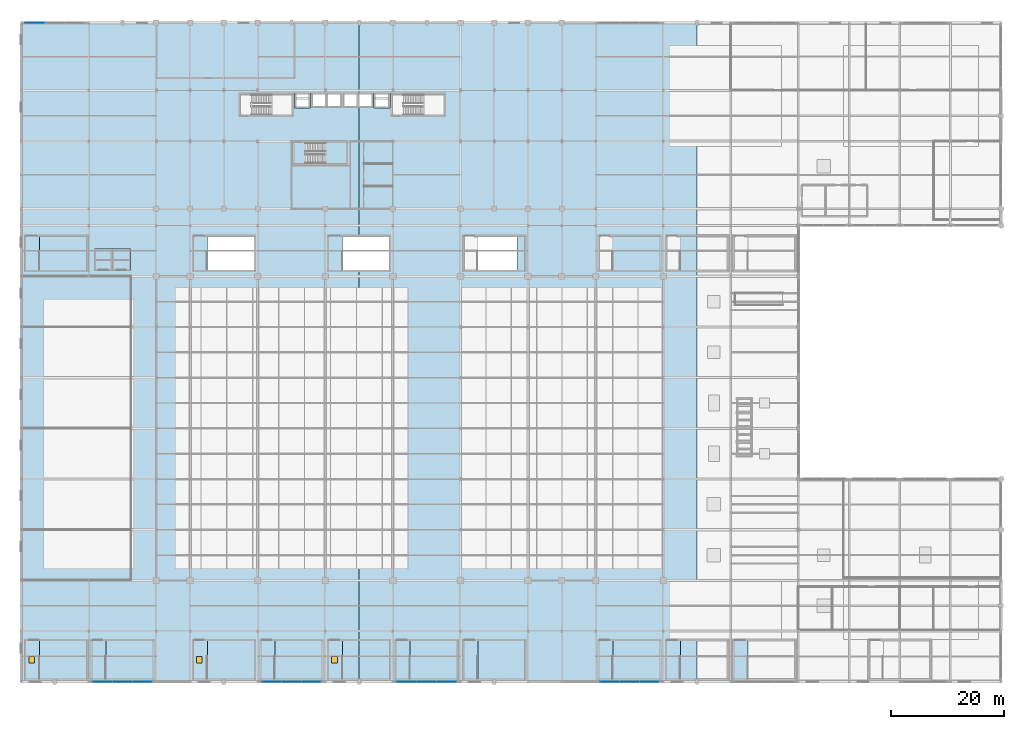
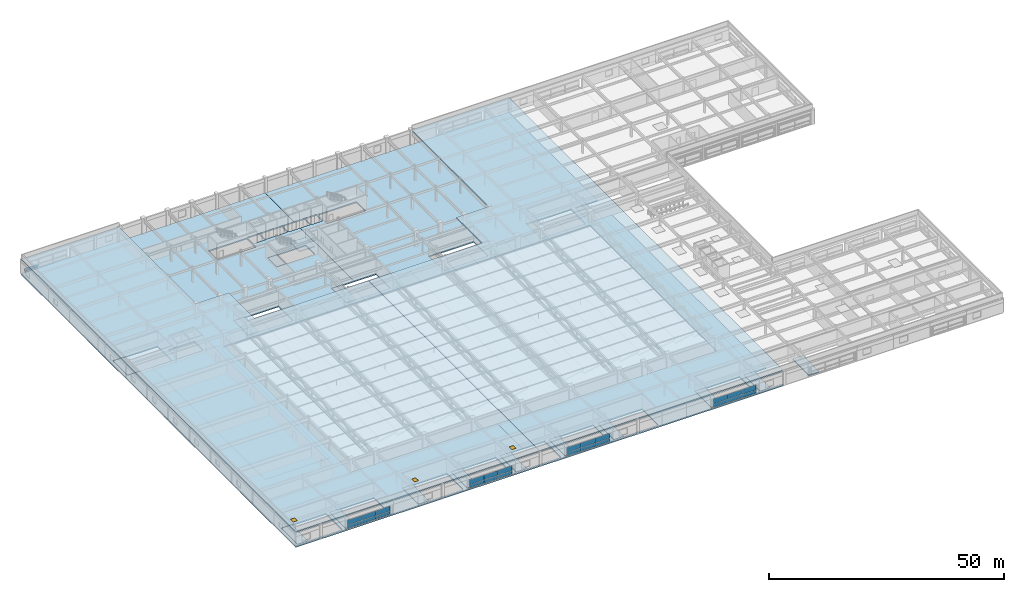
# One storey, part 85 of 108: 25 plates, 19 slabs, 3 doors, 3 openings, 6 elements without a shape of their own.
"""IFC4 building model written with IfcOpenShell, lengths in metres."""

from ifc_helpers import new_model, si_unit, direction, frame, origin, origin_2d, place, context, subcontext, project, spatial, polyline, rectangle, outline, extrude, material, layer, layer_set, type_object, element, fill, aggregate, save


model = new_model("IFC4")

# Units and contexts
model_context = context("Model", 3, precision=1e-05, world=origin(), true_north=direction((0.0, 1.0)))
body_context = subcontext(model_context, "Body", "Model", "MODEL_VIEW")
ifc_project = project(units=[si_unit("LENGTHUNIT", "METRE"), si_unit("AREAUNIT", "SQUARE_METRE"), si_unit("VOLUMEUNIT", "CUBIC_METRE"), si_unit("PLANEANGLEUNIT", "RADIAN"), si_unit("MASSUNIT", "GRAM", prefix="KILO")], contexts=[model_context])

# Site, building, storey
site_placement = place(None, origin())
site = spatial("IfcSite", under=ifc_project, at=site_placement, CompositionType="ELEMENT")
building_placement = place(site_placement, origin())
building = spatial("IfcBuilding", under=site, at=building_placement, Name="Kaldorvane Square Convention Centre", CompositionType="ELEMENT")
storey_placement = place(building_placement, frame((0.0, 0.0, 23.399993896484375)))
storey = spatial("IfcBuildingStorey", under=building, at=storey_placement, Name="L04", CompositionType="ELEMENT", Elevation=23.399993896484375)

# Curtain wall, plates
ifc_material_1 = material(Name="Anodized Aluminum and Low-E Insulated Glazing", Category="aluminium")
curtain_wall_type_1 = type_object("IfcCurtainWallType", Name="CW-UNI-P42-12", PredefinedType="USERDEFINED", material=ifc_material_1)
curtain_wall_1_placement = place(storey_placement, origin())
curtain_wall_1 = element("IfcCurtainWall", 1, at=curtain_wall_1_placement, inside=storey, type_object=curtain_wall_type_1, Name="Curtain Wall CW-05 (L04)", ObjectType="UNITISED GLAZING", PredefinedType="USERDEFINED")
ifc_layer_1 = layer(ifc_material_1, 0.0260009765625)
ifc_layer_set_1 = layer_set([ifc_layer_1], Name="Anodized Aluminum and Low-E Insulated Glazing")
plate_type_1 = type_object("IfcPlateType", Name="CW-PNL-09", PredefinedType="CURTAIN_PANEL", material=ifc_layer_set_1)
plate_1_placement = place(storey_placement, frame((14.48541259765625, 0.0, 0.214996337890625), z_axis=(0.0, 0.0, 1.0), x_axis=(1.0, 0.0, 0.0)))
plate_1 = element("IfcPlate", 2, at=plate_1_placement, type_object=plate_type_1, Name="CW-05 panel 1.1", PredefinedType="CURTAIN_PANEL", context=body_context, shape_type="SweptSolid", body=[
    extrude(rectangle(XDim=3.42083740234375, YDim=0.0260009765625, at=origin_2d()), origin(), (0.0, 0.0, 1.0), 0.8025054931640625),
])
plate_2_placement = place(storey_placement, frame((14.48541259765625, 0.0, 1.08251953125), z_axis=(0.0, 0.0, 1.0), x_axis=(1.0, 0.0, 0.0)))
plate_2 = element("IfcPlate", 3, at=plate_2_placement, type_object=plate_type_1, Name="CW-05 panel 1.2", PredefinedType="CURTAIN_PANEL", context=body_context, shape_type="SweptSolid", body=[
    extrude(rectangle(XDim=3.42083740234375, YDim=0.0260009765625, at=origin_2d()), origin(), (0.0, 0.0, 1.0), 1.2624969482421875),
])
plate_3_placement = place(storey_placement, frame((18.0, 0.0, 0.214996337890625), z_axis=(0.0, 0.0, 1.0), x_axis=(1.0, 0.0, 0.0)))
plate_3 = element("IfcPlate", 4, at=plate_3_placement, type_object=plate_type_1, Name="CW-05 panel 2.1", PredefinedType="CURTAIN_PANEL", context=body_context, shape_type="SweptSolid", body=[
    extrude(rectangle(XDim=3.4583282470703125, YDim=0.0260009765625, at=origin_2d()), origin(), (0.0, 0.0, 1.0), 0.8025054931640625),
])
plate_4_placement = place(storey_placement, frame((18.0, 0.0, 1.08251953125), z_axis=(0.0, 0.0, 1.0), x_axis=(1.0, 0.0, 0.0)))
plate_4 = element("IfcPlate", 5, at=plate_4_placement, type_object=plate_type_1, Name="CW-05 panel 2.2", PredefinedType="CURTAIN_PANEL", context=body_context, shape_type="SweptSolid", body=[
    extrude(rectangle(XDim=3.4583282470703125, YDim=0.0260009765625, at=origin_2d()), origin(), (0.0, 0.0, 1.0), 1.2624969482421875),
])
plate_5_placement = place(storey_placement, frame((21.51458740234375, 0.0, 0.214996337890625), z_axis=(0.0, 0.0, 1.0), x_axis=(1.0, 0.0, 0.0)))
plate_5 = element("IfcPlate", 6, at=plate_5_placement, type_object=plate_type_1, Name="CW-05 panel 3.1", PredefinedType="CURTAIN_PANEL", context=body_context, shape_type="SweptSolid", body=[
    extrude(rectangle(XDim=3.42083740234375, YDim=0.0260009765625, at=origin_2d()), origin(), (0.0, 0.0, 1.0), 0.8025054931640625),
])
plate_6_placement = place(storey_placement, frame((21.51458740234375, 0.0, 1.08251953125), z_axis=(0.0, 0.0, 1.0), x_axis=(1.0, 0.0, 0.0)))
plate_6 = element("IfcPlate", 7, at=plate_6_placement, type_object=plate_type_1, Name="CW-05 panel 3.2", PredefinedType="CURTAIN_PANEL", context=body_context, shape_type="SweptSolid", body=[
    extrude(rectangle(XDim=3.42083740234375, YDim=0.0260009765625, at=origin_2d()), origin(), (0.0, 0.0, 1.0), 1.2624969482421875),
])
aggregate(curtain_wall_1, [plate_1, plate_2, plate_3, plate_4, plate_5, plate_6])

curtain_wall_2_placement = place(storey_placement, origin())
curtain_wall_2 = element("IfcCurtainWall", 8, at=curtain_wall_2_placement, inside=storey, type_object=curtain_wall_type_1, Name="Curtain Wall CW-05 (L04)", ObjectType="UNITISED GLAZING", PredefinedType="USERDEFINED")
plate_7_placement = place(storey_placement, frame((44.48541259765625, 0.0, 0.214996337890625), z_axis=(0.0, 0.0, 1.0), x_axis=(1.0, 0.0, 0.0)))
plate_7 = element("IfcPlate", 9, at=plate_7_placement, type_object=plate_type_1, Name="CW-05 panel 1.1", PredefinedType="CURTAIN_PANEL", context=body_context, shape_type="SweptSolid", body=[
    extrude(rectangle(XDim=3.42083740234375, YDim=0.0260009765625, at=origin_2d()), origin(), (0.0, 0.0, 1.0), 0.8025054931640625),
])
plate_8_placement = place(storey_placement, frame((44.48541259765625, 0.0, 1.08251953125), z_axis=(0.0, 0.0, 1.0), x_axis=(1.0, 0.0, 0.0)))
plate_8 = element("IfcPlate", 10, at=plate_8_placement, type_object=plate_type_1, Name="CW-05 panel 1.2", PredefinedType="CURTAIN_PANEL", context=body_context, shape_type="SweptSolid", body=[
    extrude(rectangle(XDim=3.42083740234375, YDim=0.0260009765625, at=origin_2d()), origin(), (0.0, 0.0, 1.0), 1.2624969482421875),
])
plate_9_placement = place(storey_placement, frame((48.0, 0.0, 0.214996337890625), z_axis=(0.0, 0.0, 1.0), x_axis=(1.0, 0.0, 0.0)))
plate_9 = element("IfcPlate", 11, at=plate_9_placement, type_object=plate_type_1, Name="CW-05 panel 2.1", PredefinedType="CURTAIN_PANEL", context=body_context, shape_type="SweptSolid", body=[
    extrude(rectangle(XDim=3.4583282470703125, YDim=0.0260009765625, at=origin_2d()), origin(), (0.0, 0.0, 1.0), 0.8025054931640625),
])
plate_10_placement = place(storey_placement, frame((48.0, 0.0, 1.08251953125), z_axis=(0.0, 0.0, 1.0), x_axis=(1.0, 0.0, 0.0)))
plate_10 = element("IfcPlate", 12, at=plate_10_placement, type_object=plate_type_1, Name="CW-05 panel 2.2", PredefinedType="CURTAIN_PANEL", context=body_context, shape_type="SweptSolid", body=[
    extrude(rectangle(XDim=3.4583282470703125, YDim=0.0260009765625, at=origin_2d()), origin(), (0.0, 0.0, 1.0), 1.2624969482421875),
])
plate_11_placement = place(storey_placement, frame((51.51458740234375, 0.0, 0.214996337890625), z_axis=(0.0, 0.0, 1.0), x_axis=(1.0, 0.0, 0.0)))
plate_11 = element("IfcPlate", 13, at=plate_11_placement, type_object=plate_type_1, Name="CW-05 panel 3.1", PredefinedType="CURTAIN_PANEL", context=body_context, shape_type="SweptSolid", body=[
    extrude(rectangle(XDim=3.42083740234375, YDim=0.0260009765625, at=origin_2d()), origin(), (0.0, 0.0, 1.0), 0.8025054931640625),
])
plate_12_placement = place(storey_placement, frame((51.51458740234375, 0.0, 1.08251953125), z_axis=(0.0, 0.0, 1.0), x_axis=(1.0, 0.0, 0.0)))
plate_12 = element("IfcPlate", 14, at=plate_12_placement, type_object=plate_type_1, Name="CW-05 panel 3.2", PredefinedType="CURTAIN_PANEL", context=body_context, shape_type="SweptSolid", body=[
    extrude(rectangle(XDim=3.42083740234375, YDim=0.0260009765625, at=origin_2d()), origin(), (0.0, 0.0, 1.0), 1.2624969482421875),
])
aggregate(curtain_wall_2, [plate_7, plate_8, plate_9, plate_10, plate_11, plate_12])

curtain_wall_3_placement = place(storey_placement, origin())
curtain_wall_3 = element("IfcCurtainWall", 15, at=curtain_wall_3_placement, inside=storey, type_object=curtain_wall_type_1, Name="Curtain Wall CW-05 (L04)", ObjectType="UNITISED GLAZING", PredefinedType="USERDEFINED")
plate_13_placement = place(storey_placement, frame((68.48541259765625, 0.0, 0.214996337890625), z_axis=(0.0, 0.0, 1.0), x_axis=(1.0, 0.0, 0.0)))
plate_13 = element("IfcPlate", 16, at=plate_13_placement, type_object=plate_type_1, Name="CW-05 panel 1.1", PredefinedType="CURTAIN_PANEL", context=body_context, shape_type="SweptSolid", body=[
    extrude(rectangle(XDim=3.42083740234375, YDim=0.0260009765625, at=origin_2d()), origin(), (0.0, 0.0, 1.0), 0.8025054931640625),
])
plate_14_placement = place(storey_placement, frame((68.48541259765625, 0.0, 1.08251953125), z_axis=(0.0, 0.0, 1.0), x_axis=(1.0, 0.0, 0.0)))
plate_14 = element("IfcPlate", 17, at=plate_14_placement, type_object=plate_type_1, Name="CW-05 panel 1.2", PredefinedType="CURTAIN_PANEL", context=body_context, shape_type="SweptSolid", body=[
    extrude(rectangle(XDim=3.42083740234375, YDim=0.0260009765625, at=origin_2d()), origin(), (0.0, 0.0, 1.0), 1.2624969482421875),
])
plate_15_placement = place(storey_placement, frame((72.0, 0.0, 0.214996337890625), z_axis=(0.0, 0.0, 1.0), x_axis=(1.0, 0.0, 0.0)))
plate_15 = element("IfcPlate", 18, at=plate_15_placement, type_object=plate_type_1, Name="CW-05 panel 2.1", PredefinedType="CURTAIN_PANEL", context=body_context, shape_type="SweptSolid", body=[
    extrude(rectangle(XDim=3.4583282470703125, YDim=0.0260009765625, at=origin_2d()), origin(), (0.0, 0.0, 1.0), 0.8025054931640625),
])
plate_16_placement = place(storey_placement, frame((72.0, 0.0, 1.08251953125), z_axis=(0.0, 0.0, 1.0), x_axis=(1.0, 0.0, 0.0)))
plate_16 = element("IfcPlate", 19, at=plate_16_placement, type_object=plate_type_1, Name="CW-05 panel 2.2", PredefinedType="CURTAIN_PANEL", context=body_context, shape_type="SweptSolid", body=[
    extrude(rectangle(XDim=3.4583282470703125, YDim=0.0260009765625, at=origin_2d()), origin(), (0.0, 0.0, 1.0), 1.2624969482421875),
])
plate_17_placement = place(storey_placement, frame((75.51458740234375, 0.0, 0.214996337890625), z_axis=(0.0, 0.0, 1.0), x_axis=(1.0, 0.0, 0.0)))
plate_17 = element("IfcPlate", 20, at=plate_17_placement, type_object=plate_type_1, Name="CW-05 panel 3.1", PredefinedType="CURTAIN_PANEL", context=body_context, shape_type="SweptSolid", body=[
    extrude(rectangle(XDim=3.42083740234375, YDim=0.0260009765625, at=origin_2d()), origin(), (0.0, 0.0, 1.0), 0.8025054931640625),
])
plate_18_placement = place(storey_placement, frame((75.51458740234375, 0.0, 1.08251953125), z_axis=(0.0, 0.0, 1.0), x_axis=(1.0, 0.0, 0.0)))
plate_18 = element("IfcPlate", 21, at=plate_18_placement, type_object=plate_type_1, Name="CW-05 panel 3.2", PredefinedType="CURTAIN_PANEL", context=body_context, shape_type="SweptSolid", body=[
    extrude(rectangle(XDim=3.42083740234375, YDim=0.0260009765625, at=origin_2d()), origin(), (0.0, 0.0, 1.0), 1.2624969482421875),
])
aggregate(curtain_wall_3, [plate_13, plate_14, plate_15, plate_16, plate_17, plate_18])

curtain_wall_4_placement = place(storey_placement, origin())
curtain_wall_4 = element("IfcCurtainWall", 22, at=curtain_wall_4_placement, inside=storey, type_object=curtain_wall_type_1, Name="Curtain Wall CW-05 (L04)", ObjectType="UNITISED GLAZING", PredefinedType="USERDEFINED")
plate_19_placement = place(storey_placement, frame((104.48541259765625, 0.0, 0.214996337890625), z_axis=(0.0, 0.0, 1.0), x_axis=(1.0, 0.0, 0.0)))
plate_19 = element("IfcPlate", 23, at=plate_19_placement, type_object=plate_type_1, Name="CW-05 panel 1.1", PredefinedType="CURTAIN_PANEL", context=body_context, shape_type="SweptSolid", body=[
    extrude(rectangle(XDim=3.42083740234375, YDim=0.0260009765625, at=origin_2d()), origin(), (0.0, 0.0, 1.0), 0.8025054931640625),
])
plate_20_placement = place(storey_placement, frame((104.48541259765625, 0.0, 1.08251953125), z_axis=(0.0, 0.0, 1.0), x_axis=(1.0, 0.0, 0.0)))
plate_20 = element("IfcPlate", 24, at=plate_20_placement, type_object=plate_type_1, Name="CW-05 panel 1.2", PredefinedType="CURTAIN_PANEL", context=body_context, shape_type="SweptSolid", body=[
    extrude(rectangle(XDim=3.42083740234375, YDim=0.0260009765625, at=origin_2d()), origin(), (0.0, 0.0, 1.0), 1.2624969482421875),
])
plate_21_placement = place(storey_placement, frame((108.0, 0.0, 0.214996337890625), z_axis=(0.0, 0.0, 1.0), x_axis=(1.0, 0.0, 0.0)))
plate_21 = element("IfcPlate", 25, at=plate_21_placement, type_object=plate_type_1, Name="CW-05 panel 2.1", PredefinedType="CURTAIN_PANEL", context=body_context, shape_type="SweptSolid", body=[
    extrude(rectangle(XDim=3.4583282470703125, YDim=0.0260009765625, at=origin_2d()), origin(), (0.0, 0.0, 1.0), 0.8025054931640625),
])
plate_22_placement = place(storey_placement, frame((108.0, 0.0, 1.08251953125), z_axis=(0.0, 0.0, 1.0), x_axis=(1.0, 0.0, 0.0)))
plate_22 = element("IfcPlate", 26, at=plate_22_placement, type_object=plate_type_1, Name="CW-05 panel 2.2", PredefinedType="CURTAIN_PANEL", context=body_context, shape_type="SweptSolid", body=[
    extrude(rectangle(XDim=3.4583282470703125, YDim=0.0260009765625, at=origin_2d()), origin(), (0.0, 0.0, 1.0), 1.2624969482421875),
])
plate_23_placement = place(storey_placement, frame((111.51458740234375, 0.0, 0.214996337890625), z_axis=(0.0, 0.0, 1.0), x_axis=(1.0, 0.0, 0.0)))
plate_23 = element("IfcPlate", 27, at=plate_23_placement, type_object=plate_type_1, Name="CW-05 panel 3.1", PredefinedType="CURTAIN_PANEL", context=body_context, shape_type="SweptSolid", body=[
    extrude(rectangle(XDim=3.42083740234375, YDim=0.0260009765625, at=origin_2d()), origin(), (0.0, 0.0, 1.0), 0.8025054931640625),
])
plate_24_placement = place(storey_placement, frame((111.51458740234375, 0.0, 1.08251953125), z_axis=(0.0, 0.0, 1.0), x_axis=(1.0, 0.0, 0.0)))
plate_24 = element("IfcPlate", 28, at=plate_24_placement, type_object=plate_type_1, Name="CW-05 panel 3.2", PredefinedType="CURTAIN_PANEL", context=body_context, shape_type="SweptSolid", body=[
    extrude(rectangle(XDim=3.42083740234375, YDim=0.0260009765625, at=origin_2d()), origin(), (0.0, 0.0, 1.0), 1.2624969482421875),
])
aggregate(curtain_wall_4, [plate_19, plate_20, plate_21, plate_22, plate_23, plate_24])

# Curtain wall, plate
curtain_wall_type_2 = type_object("IfcCurtainWallType", Name="CW-UNI-P42-09", PredefinedType="USERDEFINED", material=ifc_material_1)
curtain_wall_5_placement = place(storey_placement, origin())
curtain_wall_5 = element("IfcCurtainWall", 29, at=curtain_wall_5_placement, inside=storey, type_object=curtain_wall_type_2, Name="Curtain Wall CW-06 (L04)", ObjectType="UNITISED GLAZING", PredefinedType="USERDEFINED")
ifc_layer_2 = layer(ifc_material_1, 0.04400634765625)
ifc_layer_set_2 = layer_set([ifc_layer_2], Name="Anodized Aluminum and Low-E Insulated Glazing")
plate_type_2 = type_object("IfcPlateType", Name="CW-PNL-10", PredefinedType="CURTAIN_PANEL", material=ifc_layer_set_2)
plate_25_placement = place(storey_placement, frame((2.48291015625, 117.0, 0.2100067138671875), z_axis=(0.0, 0.0, 1.0), x_axis=(-1.0, 0.0, 0.0)))
plate_25 = element("IfcPlate", 30, at=plate_25_placement, type_object=plate_type_2, Name="CW-06 panel 3.1", PredefinedType="CURTAIN_PANEL", context=body_context, shape_type="SweptSolid", body=[
    extrude(rectangle(XDim=3.4358367919921875, YDim=0.04400634765625, at=origin_2d()), origin(), (0.0, 0.0, 1.0), 0.80999755859375),
])
aggregate(curtain_wall_5, [plate_25])

# Slabs
ifc_material_2 = material(Name="Concrete f'c = 42 MPa (Normalweight)", Category="concrete")
ifc_layer_3 = layer(ifc_material_2, 0.279998779296875)
ifc_layer_set_3 = layer_set([ifc_layer_3], Name="Concrete f'c = 42 MPa (Normalweight)")
slab_type_1 = type_object("IfcSlabType", Name="SL-FLND-280", PredefinedType="FLOOR", material=ifc_layer_set_3)
slab_1_placement = place(storey_placement, frame((0.0, 0.0, -0.279998779296875)))
element("IfcSlab", 31, at=slab_1_placement, inside=storey, type_object=slab_type_1, Name="Tower Exit Stair T3 Floor Landing (L04)", PredefinedType="FLOOR", context=body_context, shape_type="SweptSolid", body=[
    extrude(outline(polyline([(48.3800048828125, 91.94000244140625), (50.58000183105469, 91.94000244140625), (50.58000183105469, 95.82000732421875), (48.3800048828125, 95.82000732421875), (48.3800048828125, 91.94000244140625)])), origin(), (0.0, 0.0, 1.0), 0.279998779296875),
])
slab_2_placement = place(storey_placement, frame((0.0, 0.0, -0.279998779296875)))
element("IfcSlab", 32, at=slab_2_placement, inside=storey, type_object=slab_type_1, Name="Convention Exit Stair C1 Floor Landing (L04)", PredefinedType="FLOOR", context=body_context, shape_type="SweptSolid", body=[
    extrude(outline(polyline([(0.7400054931640625, 0.42999267578125), (3.2899932861328125, 0.42999267578125), (3.2899932861328125, 7.3800048828125), (0.7400054931640625, 7.3800048828125), (0.7400054931640625, 0.42999267578125)])), origin(), (0.0, 0.0, 1.0), 0.279998779296875),
])
slab_3_placement = place(storey_placement, frame((0.0, 0.0, -0.279998779296875)))
element("IfcSlab", 33, at=slab_3_placement, inside=storey, type_object=slab_type_1, Name="Convention Exit Stair C2 Floor Landing (L04)", PredefinedType="FLOOR", context=body_context, shape_type="SweptSolid", body=[
    extrude(outline(polyline([(12.520004272460938, 0.42999267578125), (15.07000732421875, 0.42999267578125), (15.07000732421875, 7.3800048828125), (12.520004272460938, 7.3800048828125), (12.520004272460938, 0.42999267578125)])), origin(), (0.0, 0.0, 1.0), 0.279998779296875),
])
slab_4_placement = place(storey_placement, frame((0.0, 0.0, -0.279998779296875)))
element("IfcSlab", 34, at=slab_4_placement, inside=storey, type_object=slab_type_1, Name="Convention Exit Stair C3 Floor Landing (L04)", PredefinedType="FLOOR", context=body_context, shape_type="SweptSolid", body=[
    extrude(outline(polyline([(30.520004272460938, 0.42999267578125), (33.07000732421875, 0.42999267578125), (33.07000732421875, 7.3800048828125), (30.520004272460938, 7.3800048828125), (30.520004272460938, 0.42999267578125)])), origin(), (0.0, 0.0, 1.0), 0.279998779296875),
])
slab_5_placement = place(storey_placement, frame((0.0, 0.0, -0.279998779296875)))
element("IfcSlab", 35, at=slab_5_placement, inside=storey, type_object=slab_type_1, Name="Convention Exit Stair C4 Floor Landing (L04)", PredefinedType="FLOOR", context=body_context, shape_type="SweptSolid", body=[
    extrude(outline(polyline([(42.52000427246094, 0.42999267578125), (45.07000732421875, 0.42999267578125), (45.07000732421875, 7.3800048828125), (42.52000427246094, 7.3800048828125), (42.52000427246094, 0.42999267578125)])), origin(), (0.0, 0.0, 1.0), 0.279998779296875),
])
slab_6_placement = place(storey_placement, frame((0.0, 0.0, -0.279998779296875)))
element("IfcSlab", 36, at=slab_6_placement, inside=storey, type_object=slab_type_1, Name="Convention Exit Stair C5 Floor Landing (L04)", PredefinedType="FLOOR", context=body_context, shape_type="SweptSolid", body=[
    extrude(outline(polyline([(54.52000427246094, 0.42999267578125), (57.07000732421875, 0.42999267578125), (57.07000732421875, 7.3800048828125), (54.52000427246094, 7.3800048828125), (54.52000427246094, 0.42999267578125)])), origin(), (0.0, 0.0, 1.0), 0.279998779296875),
])
slab_7_placement = place(storey_placement, frame((0.0, 0.0, -0.279998779296875)))
element("IfcSlab", 37, at=slab_7_placement, inside=storey, type_object=slab_type_1, Name="Convention Exit Stair C6 Floor Landing (L04)", PredefinedType="FLOOR", context=body_context, shape_type="SweptSolid", body=[
    extrude(outline(polyline([(66.52000427246094, 0.42999267578125), (69.07000732421875, 0.42999267578125), (69.07000732421875, 7.3800048828125), (66.52000427246094, 7.3800048828125), (66.52000427246094, 0.42999267578125)])), origin(), (0.0, 0.0, 1.0), 0.279998779296875),
])
slab_8_placement = place(storey_placement, frame((0.0, 0.0, -0.279998779296875)))
element("IfcSlab", 38, at=slab_8_placement, inside=storey, type_object=slab_type_1, Name="Convention Exit Stair C7 Floor Landing (L04)", PredefinedType="FLOOR", context=body_context, shape_type="SweptSolid", body=[
    extrude(outline(polyline([(78.52000427246094, 0.42999267578125), (81.07000732421875, 0.42999267578125), (81.07000732421875, 7.3800048828125), (78.52000427246094, 7.3800048828125), (78.52000427246094, 0.42999267578125)])), origin(), (0.0, 0.0, 1.0), 0.279998779296875),
])
slab_9_placement = place(storey_placement, frame((0.0, 0.0, -0.279998779296875)))
element("IfcSlab", 39, at=slab_9_placement, inside=storey, type_object=slab_type_1, Name="Convention Exit Stair C8 Floor Landing (L04)", PredefinedType="FLOOR", context=body_context, shape_type="SweptSolid", body=[
    extrude(outline(polyline([(102.52000427246094, 0.42999267578125), (105.07000732421875, 0.42999267578125), (105.07000732421875, 7.3800048828125), (102.52000427246094, 7.3800048828125), (102.52000427246094, 0.42999267578125)])), origin(), (0.0, 0.0, 1.0), 0.279998779296875),
])
slab_10_placement = place(storey_placement, frame((0.0, 0.0, -0.279998779296875)))
element("IfcSlab", 40, at=slab_10_placement, inside=storey, type_object=slab_type_1, Name="Convention Exit Stair C9 Floor Landing (L04)", PredefinedType="FLOOR", context=body_context, shape_type="SweptSolid", body=[
    extrude(outline(polyline([(114.52000427246094, 0.42999267578125), (117.07000732421875, 0.42999267578125), (117.07000732421875, 7.3800048828125), (114.52000427246094, 7.3800048828125), (114.52000427246094, 0.42999267578125)])), origin(), (0.0, 0.0, 1.0), 0.279998779296875),
])
slab_11_placement = place(storey_placement, frame((0.0, 0.0, -0.279998779296875)))
element("IfcSlab", 41, at=slab_11_placement, inside=storey, type_object=slab_type_1, Name="Convention Exit Stair C10 Floor Landing (L04)", PredefinedType="FLOOR", context=body_context, shape_type="SweptSolid", body=[
    extrude(outline(polyline([(126.52000427246094, 0.42999267578125), (129.07000732421875, 0.42999267578125), (129.07000732421875, 7.3800048828125), (126.52000427246094, 7.3800048828125), (126.52000427246094, 0.42999267578125)])), origin(), (0.0, 0.0, 1.0), 0.279998779296875),
])
slab_12_placement = place(storey_placement, frame((0.0, 0.0, -0.279998779296875)))
element("IfcSlab", 42, at=slab_12_placement, inside=storey, type_object=slab_type_1, Name="Convention Exit Stair C12 Floor Landing (L04)", PredefinedType="FLOOR", context=body_context, shape_type="SweptSolid", body=[
    extrude(outline(polyline([(0.7400054931640625, 72.97999572753906), (3.2899932861328125, 72.97999572753906), (3.2899932861328125, 79.17999267578125), (0.7400054931640625, 79.17999267578125), (0.7400054931640625, 72.97999572753906)])), origin(), (0.0, 0.0, 1.0), 0.279998779296875),
])
slab_13_placement = place(storey_placement, frame((0.0, 0.0, -0.279998779296875)))
element("IfcSlab", 43, at=slab_13_placement, inside=storey, type_object=slab_type_1, Name="Convention Exit Stair C13 Floor Landing (L04)", PredefinedType="FLOOR", context=body_context, shape_type="SweptSolid", body=[
    extrude(outline(polyline([(30.520004272460938, 72.97999572753906), (33.07000732421875, 72.97999572753906), (33.07000732421875, 79.17999267578125), (30.520004272460938, 79.17999267578125), (30.520004272460938, 72.97999572753906)])), origin(), (0.0, 0.0, 1.0), 0.279998779296875),
])
slab_14_placement = place(storey_placement, frame((0.0, 0.0, -0.279998779296875)))
element("IfcSlab", 44, at=slab_14_placement, inside=storey, type_object=slab_type_1, Name="Convention Exit Stair C14 Floor Landing (L04)", PredefinedType="FLOOR", context=body_context, shape_type="SweptSolid", body=[
    extrude(outline(polyline([(54.52000427246094, 72.97999572753906), (57.07000732421875, 72.97999572753906), (57.07000732421875, 79.17999267578125), (54.52000427246094, 79.17999267578125), (54.52000427246094, 72.97999572753906)])), origin(), (0.0, 0.0, 1.0), 0.279998779296875),
])

# Stair, slab
stair_type = type_object("IfcStairType", Name="ST-DL-1600-4200", PredefinedType="HALF_TURN_STAIR", material=ifc_material_2)
stair_placement = place(storey_placement, origin())
stair = element("IfcStair", 45, at=stair_placement, inside=storey, type_object=stair_type, Name="Tower Exit Stair T3 (L04)", PredefinedType="HALF_TURN_STAIR")
ifc_layer_4 = layer(ifc_material_2, 0.2400054931640625)
ifc_layer_set_4 = layer_set([ifc_layer_4], Name="Concrete f'c = 42 MPa (Normalweight)")
slab_type_2 = type_object("IfcSlabType", Name="SL-LAND-240", PredefinedType="LANDING", material=ifc_layer_set_4)
slab_15_placement = place(storey_placement, frame((0.0, 0.0, 1.8600006103515625)))
slab_15 = element("IfcSlab", 46, at=slab_15_placement, type_object=slab_type_2, Name="Tower Exit Stair T3 Half Landing (L04)", PredefinedType="LANDING", context=body_context, shape_type="SweptSolid", body=[
    extrude(outline(polyline([(54.02000427246094, 91.94000244140625), (57.82000732421875, 91.94000244140625), (57.82000732421875, 95.82000732421875), (54.02000427246094, 95.82000732421875), (54.02000427246094, 91.94000244140625)])), origin(), (0.0, 0.0, 1.0), 0.2400054931640625),
])
aggregate(stair, [slab_15])

# Slabs
ifc_layer_5 = layer(ifc_material_2, 0.3249969482421875)
ifc_layer_set_5 = layer_set([ifc_layer_5], Name="Concrete f'c = 42 MPa (Normalweight)")
slab_type_3 = type_object("IfcSlabType", Name="SL-POD-280", PredefinedType="FLOOR", material=ifc_layer_set_5)
slab_16_placement = place(storey_placement, frame((0.0, 0.0, -0.3199920654296875)))
element("IfcSlab", 47, at=slab_16_placement, inside=storey, type_object=slab_type_3, Name="Podium Composite Floor Slab L04-1", PredefinedType="FLOOR", context=body_context, shape_type="SweptSolid", body=[
    extrude(outline(polyline([(60.0, 117.0), (60.0, 104.55000305175781), (59.80000305175781, 104.55000305175781), (57.100006103515625, 104.55000305175781), (57.100006103515625, 101.94999694824219), (59.80000305175781, 101.94999694824219), (60.0, 101.94999694824219), (60.0, 79.17999267578125), (54.52000427246094, 79.17999267578125), (54.52000427246094, 72.97999572753906), (60.0, 72.97999572753906), (60.0, 72.0), (24.0, 72.0), (24.0, 18.0), (60.0, 18.0), (60.0, 7.3800048828125), (54.52000427246094, 7.3800048828125), (54.52000427246094, 0.42999267578125), (60.0, 0.42999267578125), (60.0, 0.0), (0.0, 0.0), (0.0, 117.0), (60.0, 117.0)]), holes=[polyline([(11.699996948242188, 0.42999267578125), (11.699996948242188, 7.3800048828125), (0.7400054931640625, 7.3800048828125), (0.7400054931640625, 0.42999267578125), (11.699996948242188, 0.42999267578125)]), polyline([(23.479995727539062, 0.42999267578125), (23.479995727539062, 7.3800048828125), (12.520004272460938, 7.3800048828125), (12.520004272460938, 0.42999267578125), (23.479995727539062, 0.42999267578125)]), polyline([(41.47999572753906, 0.42999267578125), (41.47999572753906, 7.3800048828125), (30.520004272460938, 7.3800048828125), (30.520004272460938, 0.42999267578125), (41.47999572753906, 0.42999267578125)]), polyline([(53.47999572753906, 0.42999267578125), (53.47999572753906, 7.3800048828125), (42.52000427246094, 7.3800048828125), (42.52000427246094, 0.42999267578125), (53.47999572753906, 0.42999267578125)]), polyline([(19.399993896484375, 76.80000305175781), (16.199996948242188, 76.80000305175781), (13.0, 76.80000305175781), (13.0, 73.0), (16.199996948242188, 73.0), (19.399993896484375, 73.0), (19.399993896484375, 76.80000305175781)]), polyline([(41.47999572753906, 72.97999572753906), (41.47999572753906, 79.17999267578125), (30.520004272460938, 79.17999267578125), (30.520004272460938, 72.97999572753906), (41.47999572753906, 72.97999572753906)]), polyline([(11.699996948242188, 72.97999572753906), (11.699996948242188, 79.17999267578125), (0.7400054931640625, 79.17999267578125), (0.7400054931640625, 72.97999572753906), (11.699996948242188, 72.97999572753906)]), polyline([(57.82000732421875, 91.94000244140625), (57.82000732421875, 95.82000732421875), (48.3800048828125, 95.82000732421875), (48.3800048828125, 91.94000244140625), (57.82000732421875, 91.94000244140625)]), polyline([(48.220001220703125, 100.49000549316406), (48.220001220703125, 104.3699951171875), (38.779998779296875, 104.3699951171875), (38.779998779296875, 100.49000549316406), (48.220001220703125, 100.49000549316406)]), polyline([(51.350006103515625, 101.85000610351562), (51.350006103515625, 104.55000305175781), (48.55000305175781, 104.55000305175781), (48.55000305175781, 101.85000610351562), (51.350006103515625, 101.85000610351562)]), polyline([(51.5, 101.94999694824219), (54.19999694824219, 101.94999694824219), (56.899993896484375, 101.94999694824219), (56.899993896484375, 104.55000305175781), (54.19999694824219, 104.55000305175781), (51.5, 104.55000305175781), (51.5, 101.94999694824219)])]), origin(), (0.0, 0.0, 1.0), 0.3199920654296875),
])
slab_17_placement = place(storey_placement, frame((0.0, 0.0, -0.3199920654296875)))
element("IfcSlab", 48, at=slab_17_placement, inside=storey, type_object=slab_type_3, Name="Podium Composite Floor Slab L04-2", PredefinedType="FLOOR", context=body_context, shape_type="SweptSolid", body=[
    extrude(outline(polyline([(120.0, 117.0), (120.0, 79.17999267578125), (114.52000427246094, 79.17999267578125), (114.52000427246094, 72.97999572753906), (120.0, 72.97999572753906), (120.0, 7.3800048828125), (114.52000427246094, 7.3800048828125), (114.52000427246094, 0.42999267578125), (120.0, 0.42999267578125), (120.0, 0.0), (60.0, 0.0), (60.0, 0.42999267578125), (65.47999572753906, 0.42999267578125), (65.47999572753906, 7.3800048828125), (60.0, 7.3800048828125), (60.0, 18.0), (114.0, 18.0), (114.0, 72.0), (60.0, 72.0), (60.0, 72.97999572753906), (65.47999572753906, 72.97999572753906), (65.47999572753906, 79.17999267578125), (60.0, 79.17999267578125), (60.0, 101.94999694824219), (62.5, 101.94999694824219), (62.5, 104.55000305175781), (60.0, 104.55000305175781), (60.0, 117.0), (120.0, 117.0)]), holes=[polyline([(65.44999694824219, 101.85000610351562), (65.44999694824219, 104.55000305175781), (62.649993896484375, 104.55000305175781), (62.649993896484375, 101.85000610351562), (65.44999694824219, 101.85000610351562)]), polyline([(113.47999572753906, 0.42999267578125), (113.47999572753906, 7.3800048828125), (102.52000427246094, 7.3800048828125), (102.52000427246094, 0.42999267578125), (113.47999572753906, 0.42999267578125)]), polyline([(89.47999572753906, 0.42999267578125), (89.47999572753906, 7.3800048828125), (78.52000427246094, 7.3800048828125), (78.52000427246094, 0.42999267578125), (89.47999572753906, 0.42999267578125)]), polyline([(77.47999572753906, 0.42999267578125), (77.47999572753906, 7.3800048828125), (66.52000427246094, 7.3800048828125), (66.52000427246094, 0.42999267578125), (77.47999572753906, 0.42999267578125)]), polyline([(113.47999572753906, 72.97999572753906), (113.47999572753906, 79.17999267578125), (102.52000427246094, 79.17999267578125), (102.52000427246094, 72.97999572753906), (113.47999572753906, 72.97999572753906)]), polyline([(89.47999572753906, 72.97999572753906), (89.47999572753906, 79.17999267578125), (78.52000427246094, 79.17999267578125), (78.52000427246094, 72.97999572753906), (89.47999572753906, 72.97999572753906)]), polyline([(65.77999877929688, 100.49000549316406), (75.22000122070312, 100.49000549316406), (75.22000122070312, 104.3699951171875), (65.77999877929688, 104.3699951171875), (65.77999877929688, 100.49000549316406)])]), origin(), (0.0, 0.0, 1.0), 0.3199920654296875),
])

# Slab, openings, doors
ifc_layer_6 = layer(ifc_material_2, 0.32000732421875)
ifc_layer_set_6 = layer_set([ifc_layer_6], Name="Concrete f'c = 42 MPa (Normalweight)")
slab_type_4 = type_object("IfcSlabType", Name="SL-ROOF-320", PredefinedType="ROOF", material=ifc_layer_set_6)
slab_18_placement = place(storey_placement, frame((0.0, 0.0, 3.529998779296875)))
slab_18 = element("IfcSlab", 49, at=slab_18_placement, inside=storey, type_object=slab_type_4, Name="Convention Podium Roof Slab 1-1", PredefinedType="ROOF", context=body_context, shape_type="SweptSolid", body=[
    extrude(outline(polyline([(0.0, 0.0), (0.0, 117.0), (24.0, 117.0), (24.0, 84.0), (32.0, 84.0), (32.0, 73.0), (60.0, 73.0), (60.0, 0.0), (0.0, 0.0)])), origin(), (0.0, 0.0, 1.0), 0.32000732421875),
])
opening_1_placement = place(slab_18_placement, frame((1.8600006103515625, 3.904998779296875, 0.0)))
opening_1 = element("IfcOpeningElement", 50, at=opening_1_placement, cuts=slab_18, Name="Opening RH-01", PredefinedType="OPENING", context=body_context, shape_type="SweptSolid", body=[
    extrude(rectangle(XDim=1.0, YDim=1.1999969482421875, at=origin_2d()), origin(), (0.0, 0.0, 1.0), 0.32000732421875),
])
opening_2_placement = place(slab_18_placement, frame((31.639999389648438, 3.904998779296875, 0.0)))
opening_2 = element("IfcOpeningElement", 51, at=opening_2_placement, cuts=slab_18, Name="Opening RH-01", PredefinedType="OPENING", context=body_context, shape_type="SweptSolid", body=[
    extrude(rectangle(XDim=1.0, YDim=1.1999969482421875, at=origin_2d()), origin(), (0.0, 0.0, 1.0), 0.32000732421875),
])
opening_3_placement = place(slab_18_placement, frame((55.63999938964844, 3.904998779296875, 0.0)))
opening_3 = element("IfcOpeningElement", 52, at=opening_3_placement, cuts=slab_18, Name="Opening RH-01", PredefinedType="OPENING", context=body_context, shape_type="SweptSolid", body=[
    extrude(rectangle(XDim=1.0, YDim=1.1999969482421875, at=origin_2d()), origin(), (0.0, 0.0, 1.0), 0.32000732421875),
])
ifc_material_3 = material(Name="Fire-Rated Hollow Metal Steel", Category="steel")
door_type = type_object("IfcDoorType", Name="DR-HATCH-1000", OperationType="SWING_FIXED_LEFT", PredefinedType="TRAPDOOR", material=ifc_material_3)
door_1_placement = place(opening_1_placement, frame((0.0, 0.0, 0.2700042724609375)))
door_1 = element("IfcDoor", 53, at=door_1_placement, inside=storey, type_object=door_type, Name="Podium Roof Access Hatch ST-C1", OperationType="SWING_FIXED_LEFT", OverallHeight=1.1999969482421875, OverallWidth=1.0, PredefinedType="TRAPDOOR", context=body_context, shape_type="SweptSolid", body=[
    extrude(rectangle(XDim=1.0, YDim=1.1999969482421875, at=origin_2d()), origin(), (0.0, 0.0, 1.0), 0.0500030517578125),
])
fill(opening_1, door_1)
door_2_placement = place(opening_2_placement, frame((0.0, 0.0, 0.2700042724609375)))
door_2 = element("IfcDoor", 54, at=door_2_placement, inside=storey, type_object=door_type, Name="Podium Roof Access Hatch ST-C3", OperationType="SWING_FIXED_LEFT", OverallHeight=1.1999969482421875, OverallWidth=1.0, PredefinedType="TRAPDOOR", context=body_context, shape_type="SweptSolid", body=[
    extrude(rectangle(XDim=1.0, YDim=1.1999969482421875, at=origin_2d()), origin(), (0.0, 0.0, 1.0), 0.0500030517578125),
])
fill(opening_2, door_2)
door_3_placement = place(opening_3_placement, frame((0.0, 0.0, 0.2700042724609375)))
door_3 = element("IfcDoor", 55, at=door_3_placement, inside=storey, type_object=door_type, Name="Podium Roof Access Hatch ST-C5", OperationType="SWING_FIXED_LEFT", OverallHeight=1.1999969482421875, OverallWidth=1.0, PredefinedType="TRAPDOOR", context=body_context, shape_type="SweptSolid", body=[
    extrude(rectangle(XDim=1.0, YDim=1.1999969482421875, at=origin_2d()), origin(), (0.0, 0.0, 1.0), 0.0500030517578125),
])
fill(opening_3, door_3)

# Slab
slab_19_placement = place(storey_placement, frame((0.0, 0.0, 3.529998779296875)))
element("IfcSlab", 56, at=slab_19_placement, inside=storey, type_object=slab_type_4, Name="Convention Podium Roof Slab 2-1", PredefinedType="ROOF", context=body_context, shape_type="SweptSolid", body=[
    extrude(outline(polyline([(60.0, 0.0), (60.0, 73.0), (88.0, 73.0), (88.0, 84.0), (96.0, 84.0), (96.0, 117.0), (120.0, 117.0), (120.0, 0.0), (60.0, 0.0)])), origin(), (0.0, 0.0, 1.0), 0.32000732421875),
])

save(model, "model.ifc")
